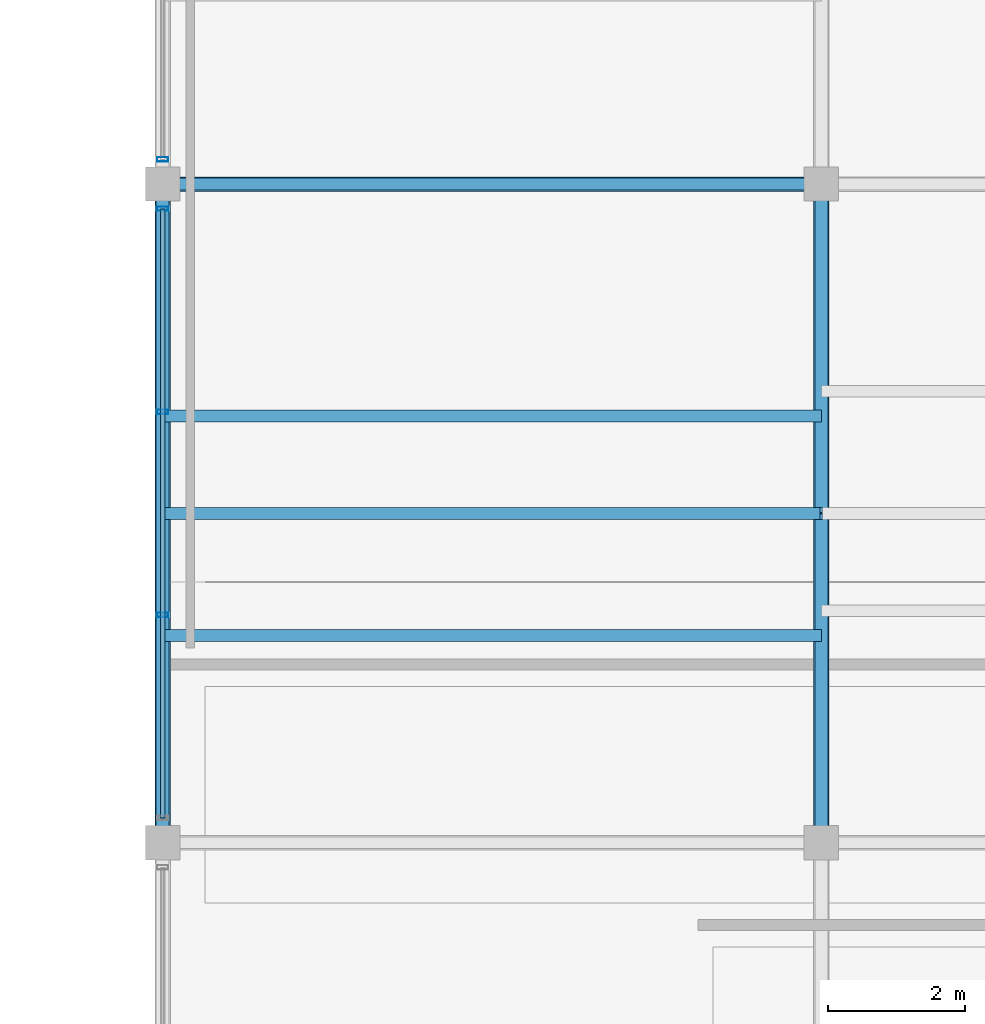
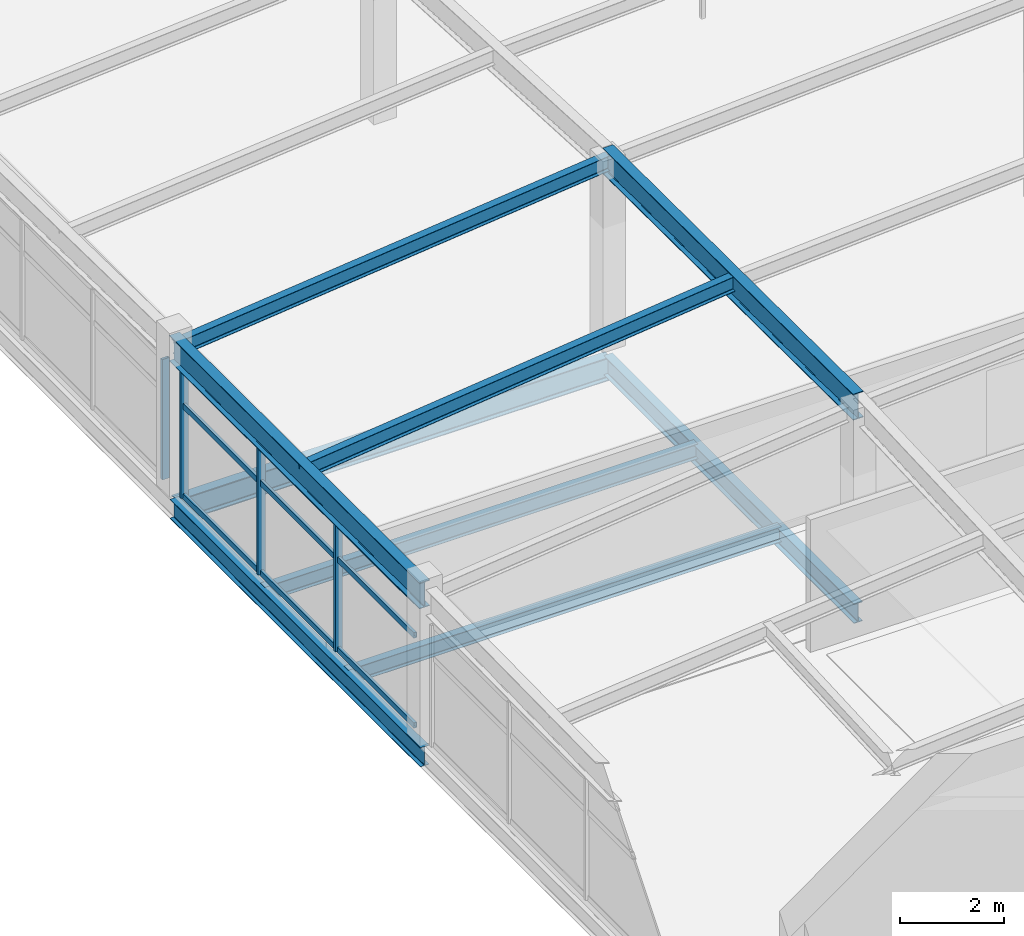
# One storey, part 35 of 65: 9 members, 7 beams, 2 elements without a shape of their own.
"""IFC4 building model written with IfcOpenShell, lengths in metres."""

from ifc_helpers import new_model, si_unit, direction, frame, origin, origin_2d, place, context, subcontext, project, spatial, hollow_rectangle, i_section, extrude, material, layer, layer_set, material_profile, profile_set, type_object, element, aggregate, save


model = new_model("IFC4")

# Units and contexts
model_context = context("Model", 3, precision=1e-05, world=origin(), true_north=direction((0.0, 1.0)))
body_context = subcontext(model_context, "Body", "Model", "MODEL_VIEW")
ifc_project = project(units=[si_unit("LENGTHUNIT", "METRE"), si_unit("AREAUNIT", "SQUARE_METRE"), si_unit("VOLUMEUNIT", "CUBIC_METRE"), si_unit("PLANEANGLEUNIT", "RADIAN"), si_unit("MASSUNIT", "GRAM", prefix="KILO")], contexts=[model_context])

# Site, building, storey
site_placement = place(None, origin())
site = spatial("IfcSite", under=ifc_project, at=site_placement, CompositionType="ELEMENT")
building_placement = place(site_placement, origin())
building = spatial("IfcBuilding", under=site, at=building_placement, Name="Chalmorin Arch Market", CompositionType="ELEMENT")
storey_placement = place(building_placement, frame((0.0, 0.0, 14.10009765625)))
storey = spatial("IfcBuildingStorey", under=building, at=storey_placement, Name="L03", CompositionType="ELEMENT", Elevation=14.10009765625)

# Curtain wall, members
ifc_material_1 = material(Name="Aluminium 6063-T6", Category="aluminium")
ifc_layer_1 = layer(ifc_material_1, 0.159912109375)
ifc_layer_set_1 = layer_set([ifc_layer_1], Name="Aluminium 6063-T6")
curtain_wall_type_1 = type_object("IfcCurtainWallType", Name="CulinaryStudioCurtainWall-CW3-8880x2980", PredefinedType="NOTDEFINED", material=ifc_layer_set_1)
curtain_wall_1_placement = place(storey_placement, origin())
curtain_wall_1 = element("IfcCurtainWall", 1, at=curtain_wall_1_placement, inside=storey, type_object=curtain_wall_type_1, Name="CW-03-114", PredefinedType="NOTDEFINED")
ifc_material_profile_1 = material_profile(ifc_material_1, hollow_rectangle(XDim=0.06494140625, YDim=0.159912109375, WallThickness=0.00390625, at=origin_2d()), Name="ALU65X160X4")
ifc_profile_set_1 = profile_set([ifc_material_profile_1], Name="Aluminium 6063-T6")
member_type_1 = type_object("IfcMemberType", Name="CurtainWallMullion-65x160", PredefinedType="MULLION", material=ifc_profile_set_1)
member_1_placement = place(storey_placement, frame((48.0, 94.52001953125, 0.0), z_axis=(0.0, 0.0, 1.0), x_axis=(0.0, 1.0, 0.0)))
member_1 = element("IfcMember", 2, at=member_1_placement, type_object=member_type_1, Name="ML-114-02", PredefinedType="MULLION", context=body_context, shape_type="SweptSolid", body=[
    extrude(hollow_rectangle(XDim=0.06494140625, YDim=0.159912109375, WallThickness=0.00390625, at=origin_2d()), origin(), (0.0, 0.0, 1.0), 2.977783203125),
])
member_2_placement = place(storey_placement, frame((48.0, 97.47998046875, 0.0), z_axis=(0.0, 0.0, 1.0), x_axis=(0.0, 1.0, 0.0)))
member_2 = element("IfcMember", 3, at=member_2_placement, type_object=member_type_1, Name="ML-114-03", PredefinedType="MULLION", context=body_context, shape_type="SweptSolid", body=[
    extrude(hollow_rectangle(XDim=0.06494140625, YDim=0.159912109375, WallThickness=0.00390625, at=origin_2d()), origin(), (0.0, 0.0, 1.0), 2.977783203125),
])
member_3_placement = place(storey_placement, frame((48.0, 100.43994140625, 0.0), z_axis=(0.0, 0.0, 1.0), x_axis=(0.0, 1.0, 0.0)))
member_3 = element("IfcMember", 4, at=member_3_placement, type_object=member_type_1, Name="ML-114-04", PredefinedType="MULLION", context=body_context, shape_type="SweptSolid", body=[
    extrude(hollow_rectangle(XDim=0.06494140625, YDim=0.159912109375, WallThickness=0.00390625, at=origin_2d()), origin(), (0.0, 0.0, 1.0), 2.977783203125),
])

# Curtain wall, member
ifc_layer_2 = layer(ifc_material_1, 0.159912109375)
ifc_layer_set_2 = layer_set([ifc_layer_2], Name="Aluminium 6063-T6")
curtain_wall_type_2 = type_object("IfcCurtainWallType", Name="CulinaryStudioCurtainWall-CW3-8080x2820", PredefinedType="NOTDEFINED", material=ifc_layer_set_2)
curtain_wall_2_placement = place(storey_placement, origin())
curtain_wall_2 = element("IfcCurtainWall", 5, at=curtain_wall_2_placement, inside=storey, type_object=curtain_wall_type_2, Name="CW-03-117", PredefinedType="NOTDEFINED")
member_4_placement = place(storey_placement, frame((48.0, 101.159912109375, 0.0), z_axis=(0.0, 0.0, 1.0), x_axis=(0.0, 1.0, 0.0)))
member_4 = element("IfcMember", 6, at=member_4_placement, type_object=member_type_1, Name="ML-117-01", PredefinedType="MULLION", context=body_context, shape_type="SweptSolid", body=[
    extrude(hollow_rectangle(XDim=0.06494140625, YDim=0.159912109375, WallThickness=0.00390625, at=origin_2d()), origin(), (0.0, 0.0, 1.0), 2.81494140625),
])
aggregate(curtain_wall_2, [member_4])

# Member
ifc_material_profile_2 = material_profile(ifc_material_1, hollow_rectangle(XDim=0.06494140625, YDim=0.1298828125, WallThickness=0.00390625, at=origin_2d()), Name="ALU65X130X4")
ifc_profile_set_2 = profile_set([ifc_material_profile_2], Name="Aluminium 6063-T6")
member_type_2 = type_object("IfcMemberType", Name="CurtainWallTransom-65x130", PredefinedType="USERDEFINED", material=ifc_profile_set_2)
member_5_placement = place(storey_placement, frame((48.0, 91.56005859375, 0.034912109375), z_axis=(0.0, 1.0, 0.0), x_axis=(-1.0, 0.0, 0.0)))
member_5 = element("IfcMember", 7, at=member_5_placement, type_object=member_type_2, Name="TR-114-01", ObjectType="TRANSOM", PredefinedType="USERDEFINED", context=body_context, shape_type="SweptSolid", body=[
    extrude(hollow_rectangle(XDim=0.06494140625, YDim=0.1298828125, WallThickness=0.00390625, at=origin_2d()), origin(), (0.0, 0.0, 1.0), 8.8798828125),
])

member_6_placement = place(storey_placement, frame((48.0, 91.56005859375, 2.14404296875), z_axis=(0.0, 1.0, 0.0), x_axis=(-1.0, 0.0, 0.0)))
member_6 = element("IfcMember", 8, at=member_6_placement, type_object=member_type_2, Name="TR-114-02", ObjectType="TRANSOM", PredefinedType="USERDEFINED", context=body_context, shape_type="SweptSolid", body=[
    extrude(hollow_rectangle(XDim=0.06494140625, YDim=0.1298828125, WallThickness=0.00390625, at=origin_2d()), origin(), (0.0, 0.0, 1.0), 8.8798828125),
])

member_7_placement = place(storey_placement, frame((48.0, 91.56005859375, 2.94287109375), z_axis=(0.0, 1.0, 0.0), x_axis=(-1.0, 0.0, 0.0)))
member_7 = element("IfcMember", 9, at=member_7_placement, type_object=member_type_2, Name="TR-114-03", ObjectType="TRANSOM", PredefinedType="USERDEFINED", context=body_context, shape_type="SweptSolid", body=[
    extrude(hollow_rectangle(XDim=0.06494140625, YDim=0.1298828125, WallThickness=0.00390625, at=origin_2d()), origin(), (0.0, 0.0, 1.0), 8.8798828125),
])

aggregate(curtain_wall_1, [member_1, member_2, member_3, member_5, member_6, member_7])

# Beams
ifc_material_2 = material(Name="Steel A992 Grade 50", Category="steel")
ifc_material_profile_3 = material_profile(ifc_material_2, i_section(OverallWidth=0.19091796875, OverallDepth=0.45703125, WebThickness=0.009033203125, FlangeThickness=0.014404296875, FilletRadius=0.02001953125, at=origin_2d()), Name="W18X50")
ifc_profile_set_3 = profile_set([ifc_material_profile_3], Name="Steel A992 Grade 50")
beam_type_1 = type_object("IfcBeamType", Name="FloorSteelBeam-W18X50", PredefinedType="BEAM", material=ifc_profile_set_3)
beam_1_placement = place(storey_placement, frame((57.60009765625, 91.199951171875, -0.470703125), z_axis=(0.0, 1.0, 0.0), x_axis=(-1.0, 0.0, 0.0)))
element("IfcBeam", 10, at=beam_1_placement, inside=storey, type_object=beam_type_1, Name="BM-W18B-1386", PredefinedType="BEAM", context=body_context, shape_type="SweptSolid", body=[
    extrude(i_section(OverallWidth=0.19091796875, OverallDepth=0.45703125, WebThickness=0.009033203125, FlangeThickness=0.014404296875, FilletRadius=0.02001953125, at=origin_2d()), origin(), (0.0, 0.0, 1.0), 9.60009765625),
])
ifc_material_profile_4 = material_profile(ifc_material_2, i_section(OverallWidth=0.19091796875, OverallDepth=0.45703125, WebThickness=0.009033203125, FlangeThickness=0.014404296875, FilletRadius=0.02001953125, at=origin_2d()), Name="W18X50")
ifc_profile_set_4 = profile_set([ifc_material_profile_4], Name="Steel A992 Grade 50")
beam_type_2 = type_object("IfcBeamType", Name="PerimeterSpandrelBeam-W18X50", PredefinedType="SPANDREL", material=ifc_profile_set_4)
beam_2_placement = place(storey_placement, frame((48.0, 91.199951171875, -0.470703125), z_axis=(0.0, 1.0, 0.0), x_axis=(-1.0, 0.0, 0.0)))
element("IfcBeam", 11, at=beam_2_placement, inside=storey, type_object=beam_type_2, Name="SP-W18-1385", PredefinedType="SPANDREL", context=body_context, shape_type="SweptSolid", body=[
    extrude(i_section(OverallWidth=0.19091796875, OverallDepth=0.45703125, WebThickness=0.009033203125, FlangeThickness=0.014404296875, FilletRadius=0.02001953125, at=origin_2d()), origin(), (0.0, 0.0, 1.0), 9.60009765625),
])
ifc_material_profile_5 = material_profile(ifc_material_2, i_section(OverallWidth=0.2119140625, OverallDepth=0.5439453125, WebThickness=0.01318359375, FlangeThickness=0.021240234375, FilletRadius=0.02197265625, at=origin_2d()), Name="W21X83")
ifc_profile_set_5 = profile_set([ifc_material_profile_5], Name="Steel A992 Grade 50")
beam_type_3 = type_object("IfcBeamType", Name="PrimarySteelGirder-W21X83", PredefinedType="BEAM", material=ifc_profile_set_5)
beam_3_placement = place(storey_placement, frame((48.0, 100.800048828125, -0.51416015625), z_axis=(1.0, 0.0, 0.0), x_axis=(0.0, 1.0, 0.0)))
element("IfcBeam", 12, at=beam_3_placement, inside=storey, type_object=beam_type_3, Name="BG-W21A-1384", PredefinedType="BEAM", context=body_context, shape_type="SweptSolid", body=[
    extrude(i_section(OverallWidth=0.2119140625, OverallDepth=0.5439453125, WebThickness=0.01318359375, FlangeThickness=0.021240234375, FilletRadius=0.02197265625, at=origin_2d()), origin(), (0.0, 0.0, 1.0), 9.60009765625),
])
ifc_material_profile_6 = material_profile(ifc_material_2, i_section(OverallWidth=0.22802734375, OverallDepth=0.60791015625, WebThickness=0.01123046875, FlangeThickness=0.017333984375, FilletRadius=0.02392578125, at=origin_2d()), Name="W24X76")
ifc_profile_set_6 = profile_set([ifc_material_profile_6], Name="Steel A992 Grade 50")
beam_type_4 = type_object("IfcBeamType", Name="PrimarySteelGirder-W24X76", PredefinedType="BEAM", material=ifc_profile_set_6)
beam_4_placement = place(storey_placement, frame((48.0, 91.199951171875, 3.31591796875), z_axis=(0.0, 0.999998032627, -0.001983618497), x_axis=(-1.0, 0.0, 0.0)))
element("IfcBeam", 13, at=beam_4_placement, inside=storey, type_object=beam_type_4, Name="BG-W24B-1547", PredefinedType="BEAM", context=body_context, shape_type="SweptSolid", body=[
    extrude(i_section(OverallWidth=0.22802734375, OverallDepth=0.60791015625, WebThickness=0.01123046875, FlangeThickness=0.017333984375, FilletRadius=0.02392578125, at=origin_2d()), origin(), (0.0, 0.0, 1.0), 9.60009765625),
])
beam_5_placement = place(storey_placement, frame((57.60009765625, 91.199951171875, 4.370849609375), z_axis=(0.0, 0.999985875204, -0.005315015714), x_axis=(-1.0, 0.0, 0.0)))
element("IfcBeam", 14, at=beam_5_placement, inside=storey, type_object=beam_type_4, Name="BG-W24B-1552", PredefinedType="BEAM", context=body_context, shape_type="SweptSolid", body=[
    extrude(i_section(OverallWidth=0.22802734375, OverallDepth=0.60791015625, WebThickness=0.01123046875, FlangeThickness=0.017333984375, FilletRadius=0.02392578125, at=origin_2d()), origin(), (0.0, 0.0, 1.0), 9.600341796875),
])

# Members
ifc_material_profile_7 = material_profile(ifc_material_2, i_section(OverallWidth=0.1708984375, OverallDepth=0.35107421875, WebThickness=0.0068359375, FlangeThickness=0.009765625, FilletRadius=0.014892578125, at=origin_2d()), Name="W14X30")
ifc_profile_set_7 = profile_set([ifc_material_profile_7], Name="Steel A992 Grade 50")
member_type_3 = type_object("IfcMemberType", Name="RoofSteelPurlin-W14X30", PredefinedType="PURLIN", material=ifc_profile_set_7)
member_8_placement = place(storey_placement, frame((48.0, 96.0, 3.288818359375), z_axis=(0.993741769957, 0.0, 0.111701811281), x_axis=(0.0, 1.0, 0.0)))
element("IfcMember", 15, at=member_8_placement, inside=storey, type_object=member_type_3, Name="PR-W14-0084", PredefinedType="PURLIN", context=body_context, shape_type="SweptSolid", body=[
    extrude(i_section(OverallWidth=0.1708984375, OverallDepth=0.35107421875, WebThickness=0.0068359375, FlangeThickness=0.009765625, FilletRadius=0.014892578125, at=origin_2d()), origin(), (0.0, 0.0, 1.0), 9.66064453125),
])
member_9_placement = place(storey_placement, frame((48.0, 100.800048828125, 3.2568359375), z_axis=(0.994370787308, 0.0, 0.105956299243), x_axis=(0.0, 1.0, 0.0)))
element("IfcMember", 16, at=member_9_placement, inside=storey, type_object=member_type_3, Name="PR-W14-0091", PredefinedType="PURLIN", context=body_context, shape_type="SweptSolid", body=[
    extrude(i_section(OverallWidth=0.1708984375, OverallDepth=0.35107421875, WebThickness=0.0068359375, FlangeThickness=0.009765625, FilletRadius=0.014892578125, at=origin_2d()), origin(), (0.0, 0.0, 1.0), 9.654541015625),
])

# Beams
ifc_material_profile_8 = material_profile(ifc_material_2, i_section(OverallWidth=0.1708984375, OverallDepth=0.35107421875, WebThickness=0.0068359375, FlangeThickness=0.009765625, FilletRadius=0.014892578125, at=origin_2d()), Name="W14X30")
ifc_profile_set_8 = profile_set([ifc_material_profile_8], Name="Steel A992 Grade 50")
beam_type_5 = type_object("IfcBeamType", Name="SecondaryFloorJoist-W14X30", PredefinedType="JOIST", material=ifc_profile_set_8)
for number, where, z_axis, x_axis, name in (
    (17, (48.0, 94.219970703125, -0.41748046875), (1.0, 0.0, 0.0), (0.0, 1.0, 0.0), "BJ-W14-1439"),
    (18, (48.0, 97.419921875, -0.41748046875), (1.0, 0.0, 0.0), (0.0, 1.0, 0.0), "BJ-W14-1440"),
):
    element("IfcBeam", number, at=place(storey_placement, frame(where, z_axis=z_axis, x_axis=x_axis)), inside=storey, type_object=beam_type_5, Name=name, PredefinedType="JOIST", context=body_context, shape_type="SweptSolid", body=[
        extrude(i_section(OverallWidth=0.1708984375, OverallDepth=0.35107421875, WebThickness=0.0068359375, FlangeThickness=0.009765625, FilletRadius=0.014892578125, at=origin_2d()), origin(), (0.0, 0.0, 1.0), 9.60009765625),
    ])

save(model, "model.ifc")
